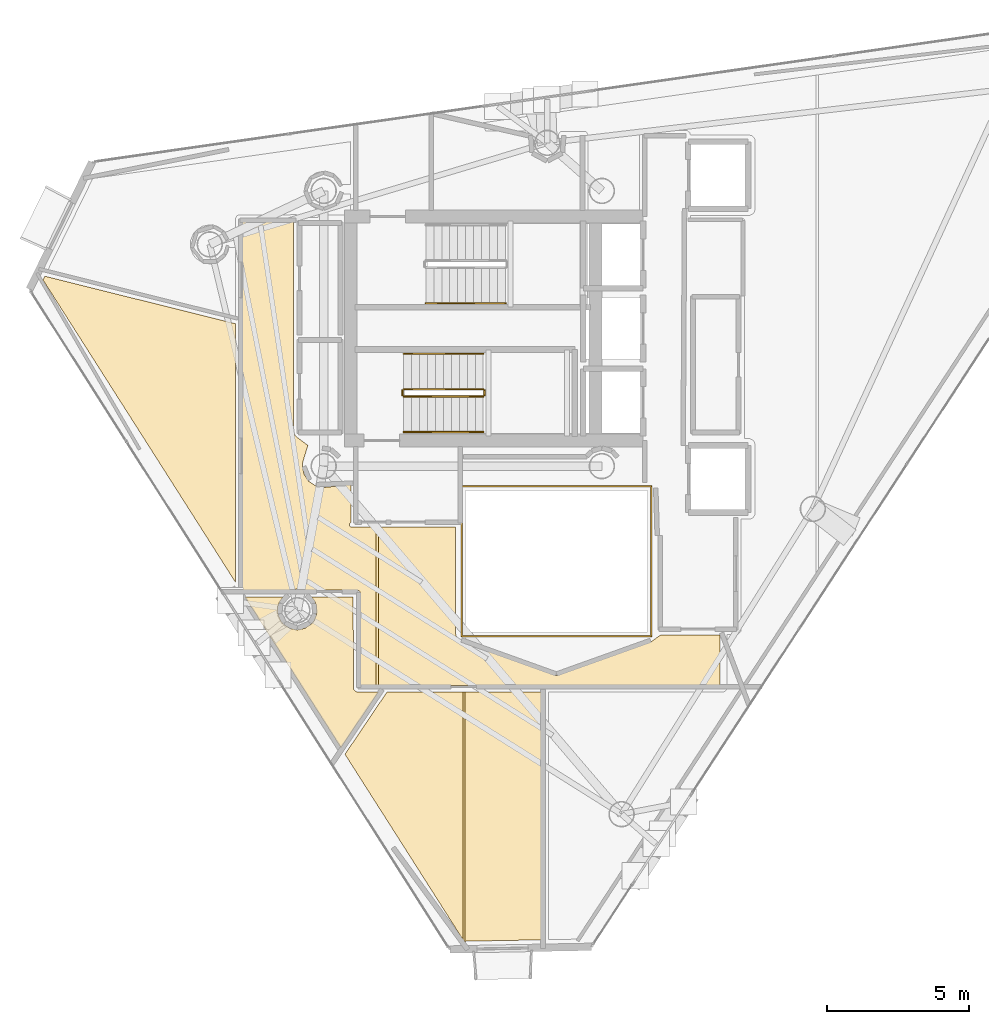
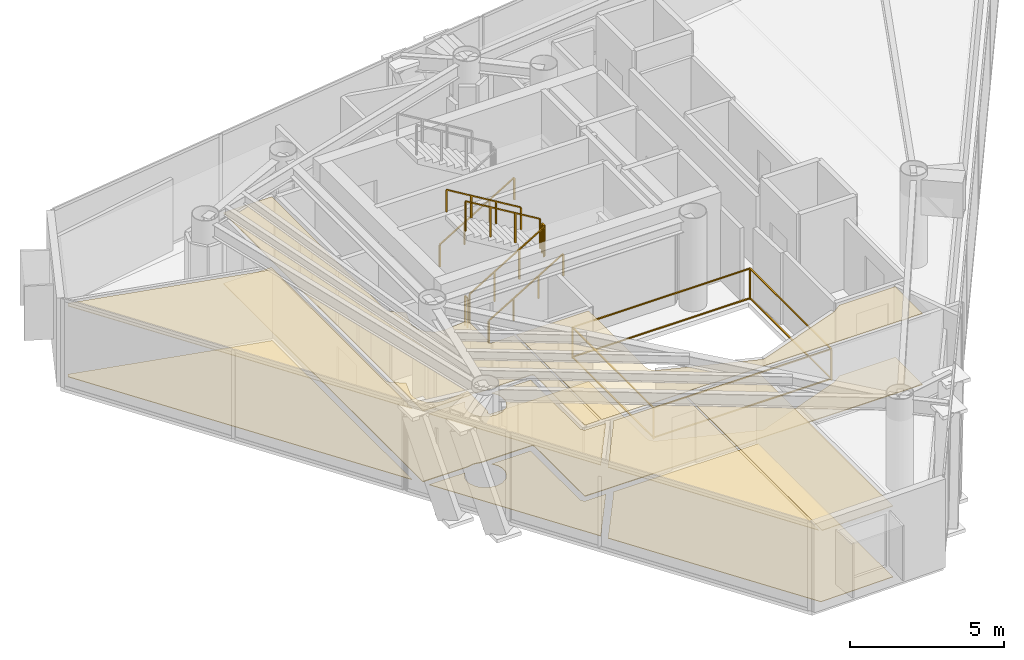
# One storey, part 23 of 25: 10 coverings, 8 railings.
"""IFC4 building model written with IfcOpenShell, lengths in metres."""

from ifc_helpers import new_model, si_unit, direction, frame, origin, origin_2d, place, context, subcontext, project, spatial, polyline, rectangle, outline, extrude, material, layer, layer_set, type_object, element, save


model = new_model("IFC4")

# Units and contexts
model_context = context("Model", 3, precision=1e-05, world=origin(), true_north=direction((0.0, 1.0)))
body_context = subcontext(model_context, "Body", "Model", "MODEL_VIEW")
ifc_project = project(units=[si_unit("LENGTHUNIT", "METRE"), si_unit("AREAUNIT", "SQUARE_METRE"), si_unit("VOLUMEUNIT", "CUBIC_METRE"), si_unit("PLANEANGLEUNIT", "RADIAN"), si_unit("MASSUNIT", "GRAM", prefix="KILO")], contexts=[model_context])

# Site, building, storey
site_placement = place(None, origin())
site = spatial("IfcSite", under=ifc_project, at=site_placement, CompositionType="ELEMENT")
building_placement = place(site_placement, origin())
building = spatial("IfcBuilding", under=site, at=building_placement, Name="Qianvela Tower", CompositionType="ELEMENT")
storey_placement = place(building_placement, frame((0.0, 0.0, 295.39990234375)))
storey = spatial("IfcBuildingStorey", under=building, at=storey_placement, Name="L76", CompositionType="ELEMENT", Elevation=295.39990234375)

# Coverings
ifc_material_1 = material(Name="Perforated Mineral Acoustic Ceiling Tile")
ifc_layer_1 = layer(ifc_material_1, 0.02490234375)
ifc_layer_set_1 = layer_set([ifc_layer_1], Name="Perforated Mineral Acoustic Ceiling Tile")
covering_type_1 = type_object("IfcCoveringType", Name="COV-CEIL-ACOUSTIC-25", PredefinedType="CEILING", material=ifc_layer_set_1)
covering_1_placement = place(storey_placement, frame((0.0, 0.0, 2.815185546875)))
element("IfcCovering", 1, at=covering_1_placement, inside=storey, type_object=covering_type_1, Name="L76 Acoustic Ceiling Bay 1 L76 Floor Corridor", PredefinedType="CEILING", context=body_context, shape_type="SweptSolid", body=[
    extrude(outline(polyline([(27.85009765625, 23.85009765625), (27.850341796875, 23.84228515625), (27.8515625, 23.83447265625), (27.902587890625, 23.577880859375), (27.904296875, 23.5703125), (27.906982421875, 23.56298828125), (27.910400390625, 23.555908203125), (27.91455078125, 23.54931640625), (28.059814453125, 23.331787109375), (28.064453125, 23.325439453125), (28.069580078125, 23.319580078125), (28.075439453125, 23.314453125), (28.081787109375, 23.309814453125), (28.29931640625, 23.16455078125), (28.305908203125, 23.160400390625), (28.31298828125, 23.156982421875), (28.3203125, 23.154296875), (28.327880859375, 23.152587890625), (28.58447265625, 23.1015625), (28.59228515625, 23.100341796875), (28.60009765625, 23.10009765625), (28.60791015625, 23.100341796875), (29.55810546875, 23.194091796875), (29.55810546875, 21.877685546875), (29.52001953125, 21.82958984375), (29.515380859375, 21.822998046875), (29.51171875, 21.81640625), (29.508544921875, 21.809326171875), (29.506103515625, 21.802001953125), (29.504150390625, 21.794189453125), (29.503173828125, 21.78662109375), (29.5029296875, 21.77880859375), (29.50341796875, 21.77099609375), (29.504638671875, 21.763427734375), (29.506591796875, 21.755859375), (29.50927734375, 21.74853515625), (29.5126953125, 21.74169921875), (29.516845703125, 21.735107421875), (29.521484375, 21.728759765625), (29.52685546875, 21.722900390625), (29.53271484375, 21.7177734375), (29.538818359375, 21.713134765625), (29.54541015625, 21.709228515625), (29.552490234375, 21.7060546875), (29.559814453125, 21.703369140625), (29.5673828125, 21.701416015625), (29.5751953125, 21.700439453125), (29.5830078125, 21.699951171875), (30.443115234375, 21.699951171875), (30.443115234375, 16.1298828125), (29.8798828125, 16.1298828125), (29.8798828125, 19.39990234375), (29.879638671875, 19.40771484375), (29.87841796875, 19.41552734375), (29.876708984375, 19.423095703125), (29.873779296875, 19.4306640625), (29.87060546875, 19.437744140625), (29.866455078125, 19.4443359375), (29.86181640625, 19.45068359375), (29.856689453125, 19.45654296875), (29.850830078125, 19.4619140625), (29.844482421875, 19.466552734375), (29.837646484375, 19.470703125), (29.83056640625, 19.473876953125), (29.8232421875, 19.4765625), (29.815673828125, 19.478515625), (29.807861328125, 19.4794921875), (29.800048828125, 19.47998046875), (27.910888671875, 19.47998046875), (27.684814453125, 19.522705078125), (27.677490234375, 19.523681640625), (27.669921875, 19.52392578125), (27.66259765625, 19.523681640625), (27.6552734375, 19.522705078125), (27.42919921875, 19.47998046875), (25.72998046875, 19.47998046875), (25.72998046875, 32.469970703125), (27.5400390625, 32.469970703125), (27.5400390625, 25.04638671875), (27.540283203125, 25.038818359375), (27.54150390625, 25.03125), (27.543212890625, 25.023681640625), (27.545654296875, 25.0166015625), (27.548828125, 25.009765625), (27.552734375, 25.003173828125), (27.61328125, 24.90869140625), (27.61767578125, 24.90283203125), (27.622314453125, 24.8974609375), (27.62744140625, 24.892333984375), (27.633056640625, 24.8876953125), (28.042236328125, 24.584228515625), (27.8662109375, 24.00390625), (27.864501953125, 23.996337890625), (27.86328125, 23.988525390625), (27.850341796875, 23.85791015625), (27.85009765625, 23.85009765625)])), origin(), (0.0, 0.0, 1.0), 0.02490234375),
])
covering_2_placement = place(storey_placement, frame((0.0, 0.0, 2.815185546875)))
element("IfcCovering", 2, at=covering_2_placement, inside=storey, type_object=covering_type_1, Name="L76 Acoustic Ceiling Bay 2 L76 Floor Corridor", PredefinedType="CEILING", context=body_context, shape_type="SweptSolid", body=[
    extrude(outline(polyline([(33.239990234375, 21.699951171875), (33.239990234375, 18.0), (33.240478515625, 17.990234375), (33.242431640625, 17.980712890625), (33.275390625, 17.8486328125), (33.277587890625, 17.841796875), (33.2802734375, 17.8349609375), (33.283447265625, 17.82861328125), (33.287353515625, 17.822509765625), (33.29150390625, 17.81689453125), (33.29638671875, 17.811279296875), (33.411376953125, 17.696533203125), (33.41796875, 17.690673828125), (33.42529296875, 17.685546875), (33.432861328125, 17.68115234375), (33.44091796875, 17.677734375), (36.77294921875, 16.482666015625), (36.780517578125, 16.48046875), (36.7880859375, 16.47900390625), (36.7958984375, 16.47802734375), (36.803955078125, 16.47802734375), (36.811767578125, 16.47900390625), (36.8193359375, 16.48046875), (36.826904296875, 16.482666015625), (40.134033203125, 17.666015625), (40.140869140625, 17.668701171875), (40.1474609375, 17.672119140625), (40.153564453125, 17.676025390625), (40.458740234375, 17.89306640625), (42.570068359375, 17.899658203125), (42.570068359375, 16.1298828125), (30.523193359375, 16.1298828125), (30.523193359375, 21.699951171875), (33.239990234375, 21.699951171875)])), origin(), (0.0, 0.0, 1.0), 0.02490234375),
])
covering_3_placement = place(storey_placement, frame((0.0, 0.0, 2.815185546875)))
element("IfcCovering", 3, at=covering_3_placement, inside=storey, type_object=covering_type_1, Name="L76 Acoustic Ceiling Shared Communal Kitchen L76-01", PredefinedType="CEILING", context=body_context, shape_type="SweptSolid", body=[
    extrude(outline(polyline([(27.16552734375, 19.239990234375), (27.039794921875, 19.052001953125), (27.035888671875, 19.045166015625), (27.032470703125, 19.0380859375), (27.02978515625, 19.03076171875), (26.9951171875, 18.916259765625), (26.993408203125, 18.90869140625), (26.9921875, 18.90087890625), (26.99169921875, 18.89306640625), (26.99169921875, 18.655029296875), (26.9921875, 18.647216796875), (26.993408203125, 18.639404296875), (26.9951171875, 18.6318359375), (26.997802734375, 18.62451171875), (27.0888671875, 18.404541015625), (27.09228515625, 18.3974609375), (27.09619140625, 18.390625), (27.10107421875, 18.384521484375), (27.1767578125, 18.2919921875), (27.18212890625, 18.2861328125), (27.18798828125, 18.28076171875), (27.194091796875, 18.276123046875), (27.39208984375, 18.143798828125), (27.39892578125, 18.139892578125), (27.406005859375, 18.136474609375), (27.413330078125, 18.1337890625), (27.4208984375, 18.132080078125), (27.654296875, 18.08544921875), (27.662109375, 18.08447265625), (27.669921875, 18.083984375), (27.677734375, 18.08447265625), (27.685546875, 18.08544921875), (27.9189453125, 18.132080078125), (27.9267578125, 18.1337890625), (27.93408203125, 18.136474609375), (27.941162109375, 18.139892578125), (27.947998046875, 18.143798828125), (28.145751953125, 18.276123046875), (28.152099609375, 18.28076171875), (28.157958984375, 18.2861328125), (28.1630859375, 18.2919921875), (28.239013671875, 18.384521484375), (28.24365234375, 18.390625), (28.247802734375, 18.3974609375), (28.251220703125, 18.404541015625), (28.34228515625, 18.62451171875), (28.3447265625, 18.6318359375), (28.3466796875, 18.639404296875), (28.347900390625, 18.647216796875), (28.348388671875, 18.655029296875), (28.348388671875, 18.89306640625), (28.347900390625, 18.90087890625), (28.3466796875, 18.90869140625), (28.3447265625, 18.916259765625), (28.31005859375, 19.03076171875), (28.3076171875, 19.0380859375), (28.30419921875, 19.045166015625), (28.300048828125, 19.052001953125), (28.17431640625, 19.239990234375), (29.64013671875, 19.239990234375), (29.643310546875, 16.026611328125), (29.643798828125, 16.018798828125), (29.64501953125, 16.010986328125), (29.64697265625, 16.00341796875), (29.649658203125, 15.99609375), (29.65283203125, 15.989013671875), (29.656982421875, 15.982421875), (29.66162109375, 15.97607421875), (29.6669921875, 15.97021484375), (29.672607421875, 15.96484375), (29.741455078125, 15.908447265625), (29.747802734375, 15.90380859375), (29.75439453125, 15.89990234375), (29.761474609375, 15.896484375), (29.768798828125, 15.893798828125), (29.776611328125, 15.891845703125), (29.7841796875, 15.890869140625), (29.7919921875, 15.890380859375), (30.53369140625, 15.89013671875), (29.20703125, 13.92333984375), (25.822509765625, 19.239990234375), (27.16552734375, 19.239990234375)])), origin(), (0.0, 0.0, 1.0), 0.02490234375),
])
covering_4_placement = place(storey_placement, frame((0.0, 0.0, 2.815185546875)))
element("IfcCovering", 4, at=covering_4_placement, inside=storey, type_object=covering_type_1, Name="L76 Acoustic Ceiling Bay 1 Student Tea Pantry L76-02", PredefinedType="CEILING", context=body_context, shape_type="SweptSolid", body=[
    extrude(outline(polyline([(33.506591796875, 15.891357421875), (33.506591796875, 7.169189453125), (29.35009765625, 13.698974609375), (30.827880859375, 15.889892578125), (33.506591796875, 15.891357421875)])), origin(), (0.0, 0.0, 1.0), 0.02490234375),
])
covering_5_placement = place(storey_placement, frame((0.0, 0.0, 2.815185546875)))
element("IfcCovering", 5, at=covering_5_placement, inside=storey, type_object=covering_type_1, Name="L76 Acoustic Ceiling Bay 2 Student Tea Pantry L76-02", PredefinedType="CEILING", context=body_context, shape_type="SweptSolid", body=[
    extrude(outline(polyline([(36.27880859375, 15.892822265625), (36.27880859375, 7.162109375), (33.586669921875, 7.11083984375), (33.586669921875, 15.891357421875), (36.27880859375, 15.892822265625)])), origin(), (0.0, 0.0, 1.0), 0.02490234375),
])
covering_6_placement = place(storey_placement, frame((0.0, 0.0, 2.815185546875)))
element("IfcCovering", 6, at=covering_6_placement, inside=storey, type_object=covering_type_1, Name="L76 Acoustic Ceiling Student Wellness Lounge L76-05", PredefinedType="CEILING", context=body_context, shape_type="SweptSolid", body=[
    extrude(outline(polyline([(25.489990234375, 28.86865234375), (25.489990234375, 19.762451171875), (18.711181640625, 30.411376953125), (18.775634765625, 30.542724609375), (25.489990234375, 28.86865234375)])), origin(), (0.0, 0.0, 1.0), 0.02490234375),
])
ifc_material_2 = material(Name="Engineered Acoustic Oak Timber Flooring", Category="wood")
ifc_layer_2 = layer(ifc_material_2, 0.02001953125)
ifc_layer_set_2 = layer_set([ifc_layer_2], Name="Engineered Acoustic Oak Timber Flooring")
covering_type_2 = type_object("IfcCoveringType", Name="COV-FLOOR-OAK-20", PredefinedType="FLOORING", material=ifc_layer_set_2)
covering_7_placement = place(storey_placement, origin())
element("IfcCovering", 7, at=covering_7_placement, inside=storey, type_object=covering_type_2, Name="L76 Finish Flooring Shared Communal Kitchen L76-01", PredefinedType="FLOORING", context=body_context, shape_type="SweptSolid", body=[
    extrude(outline(polyline([(27.16552734375, 19.239990234375), (27.039794921875, 19.052001953125), (27.035888671875, 19.045166015625), (27.032470703125, 19.0380859375), (27.02978515625, 19.03076171875), (26.9951171875, 18.916259765625), (26.993408203125, 18.90869140625), (26.9921875, 18.90087890625), (26.99169921875, 18.89306640625), (26.99169921875, 18.655029296875), (26.9921875, 18.647216796875), (26.993408203125, 18.639404296875), (26.9951171875, 18.6318359375), (26.997802734375, 18.62451171875), (27.0888671875, 18.404541015625), (27.09228515625, 18.3974609375), (27.09619140625, 18.390625), (27.10107421875, 18.384521484375), (27.1767578125, 18.2919921875), (27.18212890625, 18.2861328125), (27.18798828125, 18.28076171875), (27.194091796875, 18.276123046875), (27.39208984375, 18.143798828125), (27.39892578125, 18.139892578125), (27.406005859375, 18.136474609375), (27.413330078125, 18.1337890625), (27.4208984375, 18.132080078125), (27.654296875, 18.08544921875), (27.662109375, 18.08447265625), (27.669921875, 18.083984375), (27.677734375, 18.08447265625), (27.685546875, 18.08544921875), (27.9189453125, 18.132080078125), (27.9267578125, 18.1337890625), (27.93408203125, 18.136474609375), (27.941162109375, 18.139892578125), (27.947998046875, 18.143798828125), (28.145751953125, 18.276123046875), (28.152099609375, 18.28076171875), (28.157958984375, 18.2861328125), (28.1630859375, 18.2919921875), (28.239013671875, 18.384521484375), (28.24365234375, 18.390625), (28.247802734375, 18.3974609375), (28.251220703125, 18.404541015625), (28.34228515625, 18.62451171875), (28.3447265625, 18.6318359375), (28.3466796875, 18.639404296875), (28.347900390625, 18.647216796875), (28.348388671875, 18.655029296875), (28.348388671875, 18.89306640625), (28.347900390625, 18.90087890625), (28.3466796875, 18.90869140625), (28.3447265625, 18.916259765625), (28.31005859375, 19.03076171875), (28.3076171875, 19.0380859375), (28.30419921875, 19.045166015625), (28.300048828125, 19.052001953125), (28.17431640625, 19.239990234375), (29.64013671875, 19.239990234375), (29.643310546875, 16.026611328125), (29.643798828125, 16.018798828125), (29.64501953125, 16.010986328125), (29.64697265625, 16.00341796875), (29.649658203125, 15.99609375), (29.65283203125, 15.989013671875), (29.656982421875, 15.982421875), (29.66162109375, 15.97607421875), (29.6669921875, 15.97021484375), (29.672607421875, 15.96484375), (29.741455078125, 15.908447265625), (29.747802734375, 15.90380859375), (29.75439453125, 15.89990234375), (29.761474609375, 15.896484375), (29.768798828125, 15.893798828125), (29.776611328125, 15.891845703125), (29.7841796875, 15.890869140625), (29.7919921875, 15.890380859375), (30.53369140625, 15.89013671875), (29.20703125, 13.92333984375), (25.822509765625, 19.239990234375), (27.16552734375, 19.239990234375)])), origin(), (0.0, 0.0, 1.0), 0.02001953125),
])
covering_8_placement = place(storey_placement, origin())
element("IfcCovering", 8, at=covering_8_placement, inside=storey, type_object=covering_type_2, Name="L76 Finish Flooring Student Tea Pantry L76-02", PredefinedType="FLOORING", context=body_context, shape_type="SweptSolid", body=[
    extrude(outline(polyline([(30.827880859375, 15.889892578125), (36.27880859375, 15.892822265625), (36.27880859375, 7.162109375), (33.54443359375, 7.110107421875), (29.35009765625, 13.698974609375), (30.827880859375, 15.889892578125)])), origin(), (0.0, 0.0, 1.0), 0.02001953125),
])
covering_9_placement = place(storey_placement, origin())
element("IfcCovering", 9, at=covering_9_placement, inside=storey, type_object=covering_type_2, Name="L76 Finish Flooring Student Wellness Lounge L76-05", PredefinedType="FLOORING", context=body_context, shape_type="SweptSolid", body=[
    extrude(outline(polyline([(25.489990234375, 28.86865234375), (25.489990234375, 19.762451171875), (18.711181640625, 30.411376953125), (18.775634765625, 30.542724609375), (25.489990234375, 28.86865234375)])), origin(), (0.0, 0.0, 1.0), 0.02001953125),
])
ifc_material_3 = material(Name="Honed Stone Terrazzo Flooring", Category="masonry")
ifc_layer_3 = layer(ifc_material_3, 0.030029296875)
ifc_layer_set_3 = layer_set([ifc_layer_3], Name="Honed Stone Terrazzo Flooring")
covering_type_3 = type_object("IfcCoveringType", Name="COV-FLOOR-TERRAZZO-30", PredefinedType="FLOORING", material=ifc_layer_set_3)
covering_10_placement = place(storey_placement, origin())
element("IfcCovering", 10, at=covering_10_placement, inside=storey, type_object=covering_type_3, Name="L76 Finish Flooring L76 Floor Corridor", PredefinedType="FLOORING", context=body_context, shape_type="SweptSolid", body=[
    extrude(outline(polyline([(27.850341796875, 23.85791015625), (27.85009765625, 23.85009765625), (27.850341796875, 23.84228515625), (27.8515625, 23.83447265625), (27.902587890625, 23.577880859375), (27.904296875, 23.5703125), (27.906982421875, 23.56298828125), (27.910400390625, 23.555908203125), (27.91455078125, 23.54931640625), (28.059814453125, 23.331787109375), (28.064453125, 23.325439453125), (28.069580078125, 23.319580078125), (28.075439453125, 23.314453125), (28.081787109375, 23.309814453125), (28.29931640625, 23.16455078125), (28.305908203125, 23.160400390625), (28.31298828125, 23.156982421875), (28.3203125, 23.154296875), (28.327880859375, 23.152587890625), (28.58447265625, 23.1015625), (28.59228515625, 23.100341796875), (28.60009765625, 23.10009765625), (28.60791015625, 23.100341796875), (29.55810546875, 23.194091796875), (29.55810546875, 21.877685546875), (29.52001953125, 21.82958984375), (29.515380859375, 21.822998046875), (29.51171875, 21.81640625), (29.508544921875, 21.809326171875), (29.506103515625, 21.802001953125), (29.504150390625, 21.794189453125), (29.503173828125, 21.78662109375), (29.5029296875, 21.77880859375), (29.50341796875, 21.77099609375), (29.504638671875, 21.763427734375), (29.506591796875, 21.755859375), (29.50927734375, 21.74853515625), (29.5126953125, 21.74169921875), (29.516845703125, 21.735107421875), (29.521484375, 21.728759765625), (29.52685546875, 21.722900390625), (29.53271484375, 21.7177734375), (29.538818359375, 21.713134765625), (29.54541015625, 21.709228515625), (29.552490234375, 21.7060546875), (29.559814453125, 21.703369140625), (29.5673828125, 21.701416015625), (29.5751953125, 21.700439453125), (29.5830078125, 21.699951171875), (33.239990234375, 21.699951171875), (33.239990234375, 18.0), (33.240478515625, 17.990234375), (33.242431640625, 17.980712890625), (33.275390625, 17.8486328125), (33.277587890625, 17.841796875), (33.2802734375, 17.8349609375), (33.283447265625, 17.82861328125), (33.287353515625, 17.822509765625), (33.29150390625, 17.81689453125), (33.29638671875, 17.811279296875), (33.411376953125, 17.696533203125), (33.41796875, 17.690673828125), (33.42529296875, 17.685546875), (33.432861328125, 17.68115234375), (33.44091796875, 17.677734375), (36.77294921875, 16.482666015625), (36.780517578125, 16.48046875), (36.7880859375, 16.47900390625), (36.7958984375, 16.47802734375), (36.803955078125, 16.47802734375), (36.811767578125, 16.47900390625), (36.8193359375, 16.48046875), (36.826904296875, 16.482666015625), (40.134033203125, 17.666015625), (40.140869140625, 17.668701171875), (40.1474609375, 17.672119140625), (40.153564453125, 17.676025390625), (40.458740234375, 17.89306640625), (42.570068359375, 17.899658203125), (42.570068359375, 16.1298828125), (29.8798828125, 16.1298828125), (29.8798828125, 19.39990234375), (29.879638671875, 19.40771484375), (29.87841796875, 19.41552734375), (29.876708984375, 19.423095703125), (29.873779296875, 19.4306640625), (29.87060546875, 19.437744140625), (29.866455078125, 19.4443359375), (29.86181640625, 19.45068359375), (29.856689453125, 19.45654296875), (29.850830078125, 19.4619140625), (29.844482421875, 19.466552734375), (29.837646484375, 19.470703125), (29.83056640625, 19.473876953125), (29.8232421875, 19.4765625), (29.815673828125, 19.478515625), (29.807861328125, 19.4794921875), (29.800048828125, 19.47998046875), (27.910888671875, 19.47998046875), (27.684814453125, 19.522705078125), (27.677490234375, 19.523681640625), (27.669921875, 19.52392578125), (27.66259765625, 19.523681640625), (27.6552734375, 19.522705078125), (27.42919921875, 19.47998046875), (25.72998046875, 19.47998046875), (25.72998046875, 32.469970703125), (27.5400390625, 32.469970703125), (27.5400390625, 25.04638671875), (27.540283203125, 25.038818359375), (27.54150390625, 25.03125), (27.543212890625, 25.023681640625), (27.545654296875, 25.0166015625), (27.548828125, 25.009765625), (27.552734375, 25.003173828125), (27.61328125, 24.90869140625), (27.61767578125, 24.90283203125), (27.622314453125, 24.8974609375), (27.62744140625, 24.892333984375), (27.633056640625, 24.8876953125), (28.042236328125, 24.584228515625), (27.8662109375, 24.00390625), (27.864501953125, 23.996337890625), (27.86328125, 23.988525390625), (27.850341796875, 23.85791015625)])), origin(), (0.0, 0.0, 1.0), 0.030029296875),
])

# Railings
ifc_material_4 = material(Name="Laminated Safety Glass and Stainless Steel 316", Category="steel")
railing_type_1 = type_object("IfcRailingType", Name="RL-ATRIUM-GUARD-1250", PredefinedType="GUARDRAIL", material=ifc_material_4)
railing_1_placement = place(storey_placement, frame((33.4599609375, 17.860107421875, 0.0)))
element("IfcRailing", 11, at=railing_1_placement, inside=storey, type_object=railing_type_1, Name="L76 Atrium Edge Guardrail 1", PredefinedType="GUARDRAIL", context=body_context, shape_type="SweptSolid", body=[
    extrude(rectangle(XDim=0.050048828125, YDim=0.0400390625, at=origin_2d()), frame((0.0, 0.0, 1.22998046875), z_axis=(0.0, 1.0, 0.0), x_axis=(-1.0, 0.0, 0.0)), (0.0, 0.0, 1.0), 5.27978515625),
    extrude(rectangle(XDim=0.050048828125, YDim=0.0400390625, at=origin_2d()), frame((0.0, 0.0, 0.050048828125), z_axis=(0.0, 1.0, 0.0), x_axis=(-1.0, 0.0, 0.0)), (0.0, 0.0, 1.0), 5.27978515625),
    extrude(rectangle(XDim=0.050048828125, YDim=0.0400390625, at=origin_2d()), frame((0.0, 5.27978515625, 1.22998046875), z_axis=(1.0, 0.0, 0.0), x_axis=(0.0, 1.0, 0.0)), (0.0, 0.0, 1.0), 6.679931640625),
    extrude(rectangle(XDim=0.050048828125, YDim=0.0400390625, at=origin_2d()), frame((0.0, 5.27978515625, 0.050048828125), z_axis=(1.0, 0.0, 0.0), x_axis=(0.0, 1.0, 0.0)), (0.0, 0.0, 1.0), 6.679931640625),
    extrude(rectangle(XDim=0.050048828125, YDim=0.0400390625, at=origin_2d()), frame((6.679931640625, 5.27978515625, 1.22998046875), z_axis=(0.0, -1.0, 0.0), x_axis=(1.0, 0.0, 0.0)), (0.0, 0.0, 1.0), 5.27978515625),
    extrude(rectangle(XDim=0.050048828125, YDim=0.0400390625, at=origin_2d()), frame((6.679931640625, 5.27978515625, 0.050048828125), z_axis=(0.0, -1.0, 0.0), x_axis=(1.0, 0.0, 0.0)), (0.0, 0.0, 1.0), 5.27978515625),
    extrude(rectangle(XDim=0.050048828125, YDim=0.0400390625, at=origin_2d()), frame((6.679931640625, 0.0, 1.22998046875), z_axis=(-1.0, 0.0, 0.0), x_axis=(0.0, -1.0, 0.0)), (0.0, 0.0, 1.0), 6.679931640625),
    extrude(rectangle(XDim=0.050048828125, YDim=0.0400390625, at=origin_2d()), frame((6.679931640625, 0.0, 0.050048828125), z_axis=(-1.0, 0.0, 0.0), x_axis=(0.0, -1.0, 0.0)), (0.0, 0.0, 1.0), 6.679931640625),
    extrude(rectangle(XDim=0.050048828125, YDim=0.050048828125, at=origin_2d()), origin(), (0.0, 0.0, 1.0), 1.2099609375),
    extrude(rectangle(XDim=0.050048828125, YDim=0.050048828125, at=origin_2d()), frame((0.0, 5.27978515625, 0.0)), (0.0, 0.0, 1.0), 1.2099609375),
    extrude(rectangle(XDim=0.050048828125, YDim=0.050048828125, at=origin_2d()), frame((6.679931640625, 5.27978515625, 0.0)), (0.0, 0.0, 1.0), 1.2099609375),
    extrude(rectangle(XDim=0.050048828125, YDim=0.050048828125, at=origin_2d()), frame((6.679931640625, 0.0, 0.0)), (0.0, 0.0, 1.0), 1.2099609375),
])
ifc_material_5 = material(Name="Painted Tubular Steel Q355B", Category="steel")
railing_type_2 = type_object("IfcRailingType", Name="RL-STAIR-GUARD-1200", PredefinedType="GUARDRAIL", material=ifc_material_5)
railing_2_placement = place(storey_placement, frame((31.419921875, 26.300048828125, 0.168212890625)))
element("IfcRailing", 12, at=railing_2_placement, inside=storey, type_object=railing_type_2, Name="L76 ST-2 stair guard 1", PredefinedType="GUARDRAIL", context=body_context, shape_type="SweptSolid", body=[
    extrude(rectangle(XDim=0.050048828125, YDim=0.0400390625, at=origin_2d()), frame((0.0, 0.0, 1.179931640625), z_axis=(0.857242210791, 0.0, 0.514913383045), x_axis=(0.0, 1.0, 0.0)), (0.0, 0.0, 1.0), 3.266357421875),
    extrude(rectangle(XDim=0.050048828125, YDim=0.050048828125, at=origin_2d()), origin(), (0.0, 0.0, 1.0), 1.159912109375),
    extrude(rectangle(XDim=0.050048828125, YDim=0.050048828125, at=origin_2d()), frame((0.933349609375, 0.0, 0.560546875)), (0.0, 0.0, 1.0), 1.159912109375),
    extrude(rectangle(XDim=0.050048828125, YDim=0.050048828125, at=origin_2d()), frame((1.86669921875, 0.0, 1.121337890625)), (0.0, 0.0, 1.0), 1.159912109375),
    extrude(rectangle(XDim=0.050048828125, YDim=0.050048828125, at=origin_2d()), frame((2.800048828125, 0.0, 1.681884765625)), (0.0, 0.0, 1.0), 1.159912109375),
])
railing_3_placement = place(storey_placement, frame((34.27001953125, 26.35009765625, 1.85009765625)))
element("IfcRailing", 13, at=railing_3_placement, inside=storey, type_object=railing_type_2, Name="L76 ST-2 stair guard 2", PredefinedType="GUARDRAIL", context=body_context, shape_type="SweptSolid", body=[
    extrude(rectangle(XDim=0.050048828125, YDim=0.0400390625, at=origin_2d()), frame((0.0, 0.0, 1.179931640625), z_axis=(0.0, 1.0, 0.0), x_axis=(-1.0, 0.0, 0.0)), (0.0, 0.0, 1.0), 0.159912109375),
    extrude(rectangle(XDim=0.050048828125, YDim=0.050048828125, at=origin_2d()), origin(), (0.0, 0.0, 1.0), 1.159912109375),
    extrude(rectangle(XDim=0.050048828125, YDim=0.050048828125, at=origin_2d()), frame((0.0, 0.159912109375, 0.0)), (0.0, 0.0, 1.0), 1.159912109375),
])
railing_4_placement = place(storey_placement, frame((34.219970703125, 26.56005859375, 2.018310546875)))
element("IfcRailing", 14, at=railing_4_placement, inside=storey, type_object=railing_type_2, Name="L76 ST-2 stair guard 3", PredefinedType="GUARDRAIL", context=body_context, shape_type="SweptSolid", body=[
    extrude(rectangle(XDim=0.050048828125, YDim=0.0400390625, at=origin_2d()), frame((0.0, 0.0, 1.179931640625), z_axis=(-0.857242210791, 0.0, 0.514913383045), x_axis=(0.0, -1.0, 0.0)), (0.0, 0.0, 1.0), 3.266357421875),
    extrude(rectangle(XDim=0.050048828125, YDim=0.050048828125, at=origin_2d()), origin(), (0.0, 0.0, 1.0), 1.159912109375),
    extrude(rectangle(XDim=0.050048828125, YDim=0.050048828125, at=origin_2d()), frame((-0.933349609375, 0.0, 0.560546875)), (0.0, 0.0, 1.0), 1.159912109375),
    extrude(rectangle(XDim=0.050048828125, YDim=0.050048828125, at=origin_2d()), frame((-1.86669921875, 0.0, 1.121337890625)), (0.0, 0.0, 1.0), 1.159912109375),
    extrude(rectangle(XDim=0.050048828125, YDim=0.050048828125, at=origin_2d()), frame((-2.800048828125, 0.0, 1.681884765625)), (0.0, 0.0, 1.0), 1.159912109375),
])
railing_5_placement = place(storey_placement, frame((31.3701171875, 26.35009765625, 0.0)))
element("IfcRailing", 15, at=railing_5_placement, inside=storey, type_object=railing_type_2, Name="L76 ST-2 stair guard 4", PredefinedType="GUARDRAIL", context=body_context, shape_type="SweptSolid", body=[
    extrude(rectangle(XDim=0.050048828125, YDim=0.0400390625, at=origin_2d()), frame((0.0, 0.0, 1.179931640625), z_axis=(0.0, 1.0, 0.0), x_axis=(-1.0, 0.0, 0.0)), (0.0, 0.0, 1.0), 0.159912109375),
    extrude(rectangle(XDim=0.050048828125, YDim=0.050048828125, at=origin_2d()), origin(), (0.0, 0.0, 1.0), 1.159912109375),
    extrude(rectangle(XDim=0.050048828125, YDim=0.050048828125, at=origin_2d()), frame((0.0, 0.159912109375, 0.0)), (0.0, 0.0, 1.0), 1.159912109375),
])
ifc_material_6 = material(Name="Brushed Stainless Steel 304", Category="steel")
railing_type_3 = type_object("IfcRailingType", Name="RL-STAIR-HANDRAIL-900", PredefinedType="HANDRAIL", material=ifc_material_6)
for number, where, name in (
    (16, (32.199951171875, 29.590087890625, 0.168212890625), "L76 ST-1 stair handrail 1"),
    (17, (31.419921875, 25.050048828125, 0.168212890625), "L76 ST-2 stair handrail 1"),
):
    element("IfcRailing", number, at=place(storey_placement, frame(where)), inside=storey, type_object=railing_type_3, Name=name, PredefinedType="HANDRAIL", context=body_context, shape_type="SweptSolid", body=[
        extrude(rectangle(XDim=0.050048828125, YDim=0.0400390625, at=origin_2d()), frame((0.0, 0.0, 0.8798828125), z_axis=(0.857242210791, 0.0, 0.514913383045), x_axis=(0.0, 1.0, 0.0)), (0.0, 0.0, 1.0), 3.266357421875),
        extrude(rectangle(XDim=0.050048828125, YDim=0.050048828125, at=origin_2d()), origin(), (0.0, 0.0, 1.0), 0.85986328125),
        extrude(rectangle(XDim=0.050048828125, YDim=0.050048828125, at=origin_2d()), frame((0.933349609375, 0.0, 0.560546875)), (0.0, 0.0, 1.0), 0.85986328125),
        extrude(rectangle(XDim=0.050048828125, YDim=0.050048828125, at=origin_2d()), frame((1.86669921875, 0.0, 1.121337890625)), (0.0, 0.0, 1.0), 0.85986328125),
        extrude(rectangle(XDim=0.050048828125, YDim=0.050048828125, at=origin_2d()), frame((2.800048828125, 0.0, 1.681884765625)), (0.0, 0.0, 1.0), 0.85986328125),
    ])
railing_6_placement = place(storey_placement, frame((34.219970703125, 27.81005859375, 2.018310546875)))
element("IfcRailing", 18, at=railing_6_placement, inside=storey, type_object=railing_type_3, Name="L76 ST-2 stair handrail 2", PredefinedType="HANDRAIL", context=body_context, shape_type="SweptSolid", body=[
    extrude(rectangle(XDim=0.050048828125, YDim=0.0400390625, at=origin_2d()), frame((0.0, 0.0, 0.8798828125), z_axis=(-0.857242210791, 0.0, 0.514913383045), x_axis=(0.0, -1.0, 0.0)), (0.0, 0.0, 1.0), 3.266357421875),
    extrude(rectangle(XDim=0.050048828125, YDim=0.050048828125, at=origin_2d()), origin(), (0.0, 0.0, 1.0), 0.85986328125),
    extrude(rectangle(XDim=0.050048828125, YDim=0.050048828125, at=origin_2d()), frame((-0.933349609375, 0.0, 0.560546875)), (0.0, 0.0, 1.0), 0.85986328125),
    extrude(rectangle(XDim=0.050048828125, YDim=0.050048828125, at=origin_2d()), frame((-1.86669921875, 0.0, 1.121337890625)), (0.0, 0.0, 1.0), 0.85986328125),
    extrude(rectangle(XDim=0.050048828125, YDim=0.050048828125, at=origin_2d()), frame((-2.800048828125, 0.0, 1.681884765625)), (0.0, 0.0, 1.0), 0.85986328125),
])

save(model, "model.ifc")
